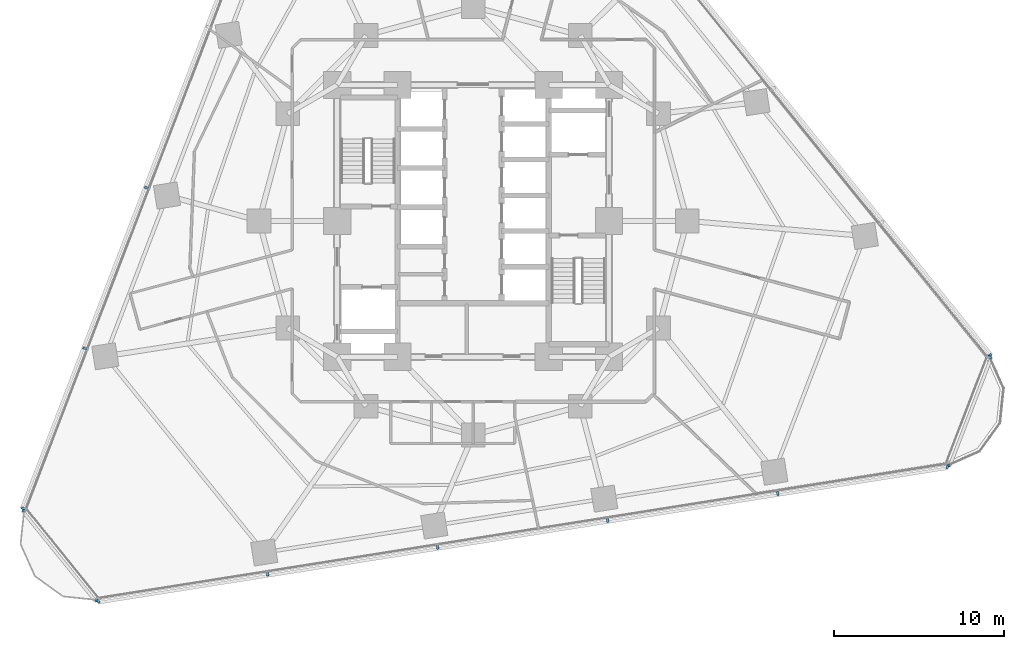
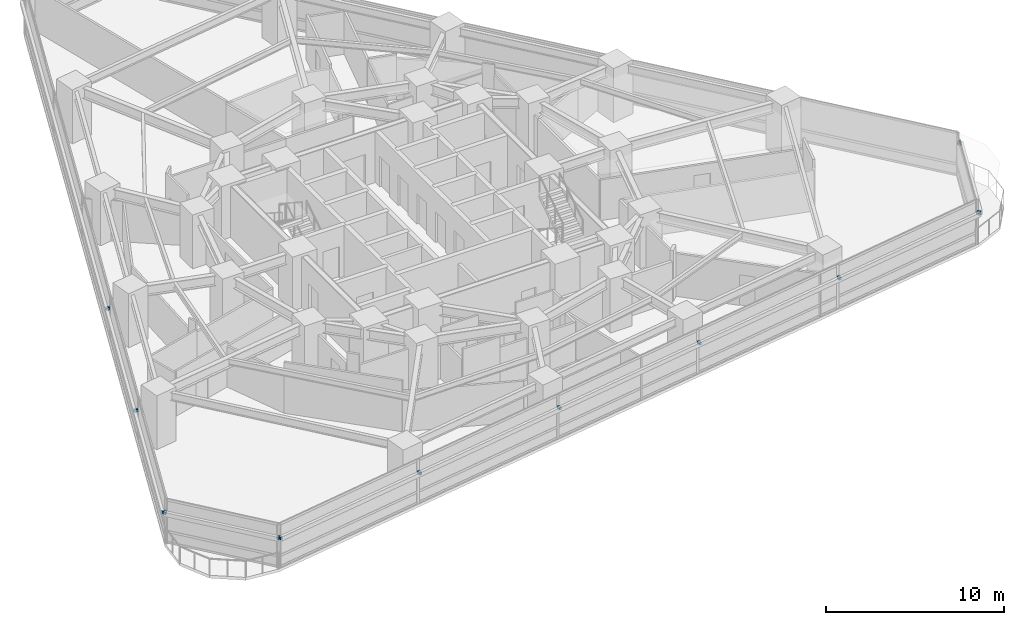
# One storey, part 10 of 14: 14 discrete accessories.
"""IFC4 building model written with IfcOpenShell, lengths in metres."""

from ifc_helpers import new_model, si_unit, direction, frame, origin, origin_2d, place, context, subcontext, project, spatial, rectangle, extrude, material, type_object, element, save


model = new_model("IFC4")

# Units and contexts
model_context = context("Model", 3, precision=1e-05, world=origin(), true_north=direction((0.0, 1.0)))
body_context = subcontext(model_context, "Body", "Model", "MODEL_VIEW")
ifc_project = project(units=[si_unit("LENGTHUNIT", "METRE"), si_unit("AREAUNIT", "SQUARE_METRE"), si_unit("VOLUMEUNIT", "CUBIC_METRE"), si_unit("PLANEANGLEUNIT", "RADIAN"), si_unit("MASSUNIT", "GRAM", prefix="KILO")], contexts=[model_context])

# Site, building, storey
site_placement = place(None, origin())
site = spatial("IfcSite", under=ifc_project, at=site_placement, CompositionType="ELEMENT")
building_placement = place(site_placement, origin())
building = spatial("IfcBuilding", under=site, at=building_placement, Name="Terralouvre Media Tower", CompositionType="ELEMENT")
storey_placement = place(building_placement, frame((0.0, 0.0, 66.699951171875)))
storey = spatial("IfcBuildingStorey", under=building, at=storey_placement, Name="L16", CompositionType="ELEMENT", Elevation=66.699951171875)

# Discrete accessories
ifc_material = material(Name="Anodised extruded aluminium 6063-T6", Category="aluminium")
discrete_accessory_type = type_object("IfcDiscreteAccessoryType", Name="Mullion Stand-Off Baguette Fixing Bracket BK-01", PredefinedType="BRACKET", material=ifc_material)
for number, where, z_axis, x_axis, name in (
    (1, (-22.055419921875, -22.364013671875, 2.07421875), (0.0, 0.0, 1.0), (0.987688340934, 0.156434462903, 0.0), "CW-L16-F0 Baguette Outrigger Bracket 1.01"),
    (2, (-12.08935546875, -20.78564453125, 2.07421875), (0.0, 0.0, 1.0), (0.987688340934, 0.156434462903, 0.0), "CW-L16-F0 Baguette Outrigger Bracket 1.02"),
    (3, (-2.0859375, -19.201171875, 2.07421875), (0.0, 0.0, 1.0), (0.987688340934, 0.156434462903, 0.0), "CW-L16-F0 Baguette Outrigger Bracket 1.03"),
    (4, (7.91748046875, -17.616943359375, 2.07421875), (0.0, 0.0, 1.0), (0.987688340934, 0.156434462903, 0.0), "CW-L16-F0 Baguette Outrigger Bracket 1.04"),
    (5, (17.920654296875, -16.032470703125, 2.07421875), (0.0, 0.0, 1.0), (0.987688340934, 0.156434462903, 0.0), "CW-L16-F0 Baguette Outrigger Bracket 1.05"),
    (6, (27.886962890625, -14.4541015625, 2.07421875), (0.0, 0.0, 1.0), (0.987688340934, 0.156434462903, 0.0), "CW-L16-F0 Baguette Outrigger Bracket 1.06"),
    (7, (30.395751953125, -7.918701171875, 2.07421875), (0.0, 0.0, 1.0), (-0.629320350521, 0.777145994276, 0.0), "CW-L16-F1 Baguette Outrigger Bracket 1.01"),
    (8, (-19.21533203125, 1.951904296875, 2.07421875), (0.0, 0.0, 1.0), (-0.358367917006, -0.933580438988, 0.0), "CW-L16-F2 Baguette Outrigger Bracket 1.04"),
    (9, (-22.844970703125, -7.50341796875, 2.07421875), (0.0, 0.0, 1.0), (-0.358367917006, -0.933580438988, 0.0), "CW-L16-F2 Baguette Outrigger Bracket 1.05"),
    (10, (-26.4609375, -16.923828125, 2.07421875), (0.0, 0.0, 1.0), (-0.358367917006, -0.933580438988, 0.0), "CW-L16-F2 Baguette Outrigger Bracket 1.06"),
    (11, (-26.428955078125, -17.014892578125, 2.07421875), (0.0, 0.0, 1.0), (0.629320031936, -0.777146252262, 0.0), "CW-L16-C0 Baguette Outrigger Bracket 1.01"),
    (12, (-22.137939453125, -22.31396484375, 2.07421875), (0.0, 0.0, 1.0), (0.629320031936, -0.777146252262, 0.0), "CW-L16-C0 Baguette Outrigger Bracket 1.02"),
    (13, (27.949951171875, -14.380859375, 2.07421875), (0.0, 0.0, 1.0), (0.358367472863, 0.933580609478, 0.0), "CW-L16-C1 Baguette Outrigger Bracket 1.01"),
    (14, (30.393310546875, -8.01513671875, 2.07421875), (0.0, 0.0, 1.0), (0.358367472863, 0.933580609478, 0.0), "CW-L16-C1 Baguette Outrigger Bracket 1.02"),
):
    element("IfcDiscreteAccessory", number, at=place(storey_placement, frame(where, z_axis=z_axis, x_axis=x_axis)), inside=storey, type_object=discrete_accessory_type, Name=name, PredefinedType="BRACKET", context=body_context, shape_type="SweptSolid", body=[
        extrude(rectangle(XDim=0.139892578125, YDim=0.239990234375, at=origin_2d()), origin(), (0.0, 0.0, 1.0), 0.179931640625),
    ])

save(model, "model.ifc")
